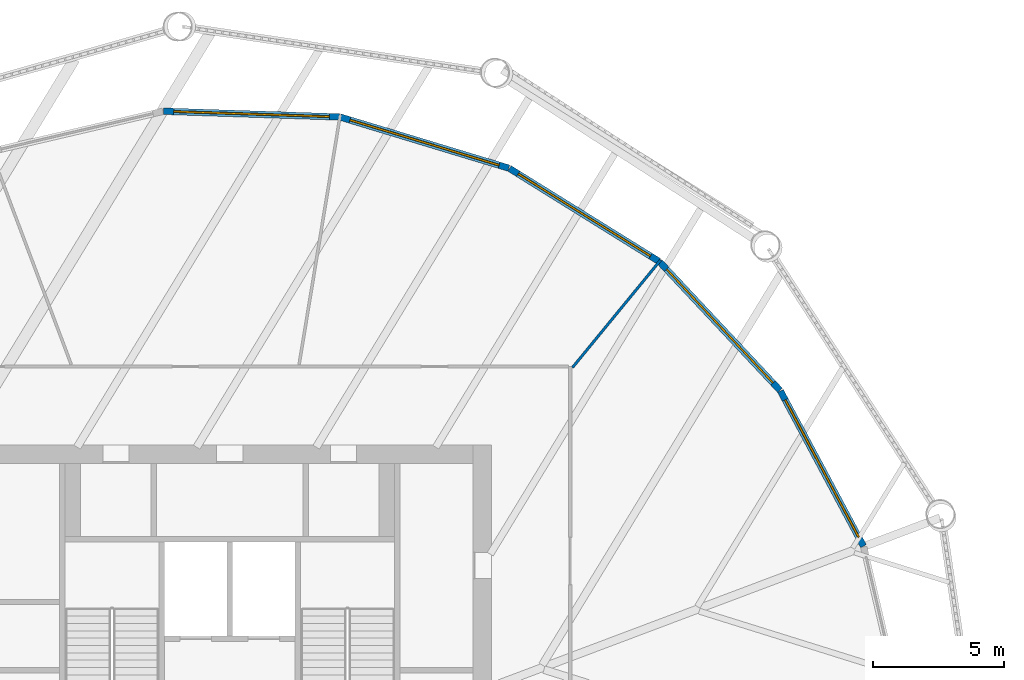
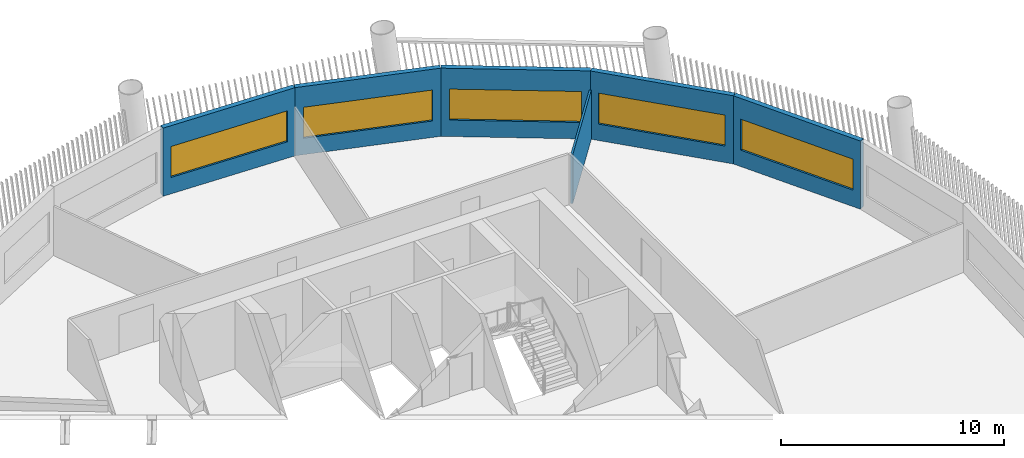
# One storey, part 7 of 15: 6 walls, 5 windows, 5 openings.
"""IFC4 building model written with IfcOpenShell, lengths in metres."""

from ifc_helpers import new_model, si_unit, direction, frame, frame_2d, origin, place, context, subcontext, project, spatial, rectangle, extrude, material, layer, layer_set, type_object, element, fill, save


model = new_model("IFC4")

# Units and contexts
model_context = context("Model", 3, precision=1e-05, world=origin(), true_north=direction((0.0, 1.0)))
body_context = subcontext(model_context, "Body", "Model", "MODEL_VIEW")
ifc_project = project(units=[si_unit("LENGTHUNIT", "METRE"), si_unit("AREAUNIT", "SQUARE_METRE"), si_unit("VOLUMEUNIT", "CUBIC_METRE"), si_unit("PLANEANGLEUNIT", "RADIAN"), si_unit("MASSUNIT", "GRAM", prefix="KILO")], contexts=[model_context])

# Site, building, storey
site_placement = place(None, origin())
site = spatial("IfcSite", under=ifc_project, at=site_placement, CompositionType="ELEMENT")
building_placement = place(site_placement, origin())
building = spatial("IfcBuilding", under=site, at=building_placement, Name="Tarsis Ring Headquarters", CompositionType="ELEMENT")
storey_placement = place(building_placement, frame((0.0, 0.0, 151.5)))
storey = spatial("IfcBuildingStorey", under=building, at=storey_placement, Name="L34", CompositionType="ELEMENT", Elevation=151.5)

# Wall
ifc_material_1 = material(Name="Gypsum board on steel studs", Category="steel")
ifc_layer_1 = layer(ifc_material_1, 0.10009765625)
ifc_layer_set_1 = layer_set([ifc_layer_1], Name="FL partition 100 unrated")
wall_type_1 = type_object("IfcWallType", Name="FL partition 100 unrated", PredefinedType="PARTITIONING", material=ifc_layer_set_1)
wall_1_placement = place(storey_placement, frame((13.0888671875, 15.957275390625, 0.0), z_axis=(0.0, 0.0, 1.0), x_axis=(0.63417637019, 0.773188419141, 0.0)))
element("IfcWall", 1, at=wall_1_placement, inside=storey, type_object=wall_type_1, Name="Partition PW3", PredefinedType="PARTITIONING", context=body_context, shape_type="SweptSolid", body=[
    extrude(rectangle(XDim=5.30908203125, YDim=0.10009765625, at=frame_2d((2.654541015625, 0.0))), origin(), (0.0, 0.0, 1.0), 2.699951171875),
])

# Wall, opening, window
ifc_material_2 = material(Name="Terracotta clad insulated panel wall", Category="masonry")
ifc_layer_2 = layer(ifc_material_2, 0.25)
ifc_layer_set_2 = layer_set([ifc_layer_2], Name="Facade wall terracotta panel 250")
wall_type_2 = type_object("IfcWallType", Name="Facade wall terracotta panel 250", PredefinedType="STANDARD", material=ifc_layer_set_2)
wall_2_placement = place(storey_placement, frame((24.205322265625, 9.135009765625, 0.0), z_axis=(0.0, 0.0, 1.0), x_axis=(-0.471613498576, 0.881805368526, 0.0)))
wall_2 = element("IfcWall", 2, at=wall_2_placement, inside=storey, type_object=wall_type_2, Name="External wall L34-24", PredefinedType="STANDARD", context=body_context, shape_type="SweptSolid", body=[
    extrude(rectangle(XDim=6.721435546875, YDim=0.25, at=frame_2d((3.36083984375, 0.0))), origin(), (0.0, 0.0, 1.0), 3.739990234375),
])
opening_1_placement = place(wall_2_placement, frame((0.3857421875, 0.0, 0.89990234375)))
opening_1 = element("IfcOpeningElement", 3, at=opening_1_placement, cuts=wall_2, Name="Opening WN07", PredefinedType="OPENING", context=body_context, shape_type="SweptSolid", body=[
    extrude(rectangle(XDim=5.949951171875, YDim=1.699951171875, at=frame_2d((2.97509765625, 0.85009765625))), frame((0.0, 0.135009765625, 0.0), z_axis=(0.0, -1.0, 0.0), x_axis=(1.0, 0.0, 0.0)), (0.0, 0.0, 1.0), 0.27001953125),
])
ifc_material_3 = material(Name="Aluminium framed double glazing", Category="aluminium")
window_type = type_object("IfcWindowType", Name="Facade window 5950 x 1700", PartitioningType="SINGLE_PANEL", PredefinedType="WINDOW", material=ifc_material_3)
window_1_placement = place(opening_1_placement, origin())
window_1 = element("IfcWindow", 4, at=window_1_placement, inside=storey, type_object=window_type, Name="Window L34-24.1", OverallHeight=1.699951171875, OverallWidth=5.949951171875, PartitioningType="SINGLE_PANEL", PredefinedType="WINDOW", context=body_context, shape_type="SweptSolid", body=[
    extrude(rectangle(XDim=5.949951171875, YDim=1.699951171875, at=frame_2d((2.97509765625, 0.85009765625))), frame((0.0, 0.030029296875, 0.0), z_axis=(0.0, -1.0, 0.0), x_axis=(1.0, 0.0, 0.0)), (0.0, 0.0, 1.0), 0.06005859375),
])
fill(opening_1, window_1)

wall_3_placement = place(storey_placement, frame((21.016357421875, 15.08837890625, 0.0), z_axis=(0.0, 0.0, 1.0), x_axis=(-0.683779215508, 0.729688964175, 0.0)))
wall_3 = element("IfcWall", 5, at=wall_3_placement, inside=storey, type_object=wall_type_2, Name="External wall L34-25", PredefinedType="STANDARD", context=body_context, shape_type="SweptSolid", body=[
    extrude(rectangle(XDim=6.7216796875, YDim=0.25, at=frame_2d((3.36083984375, 0.0))), origin(), (0.0, 0.0, 1.0), 3.739990234375),
])
opening_2_placement = place(wall_3_placement, frame((0.3857421875, 0.0, 0.89990234375)))
opening_2 = element("IfcOpeningElement", 6, at=opening_2_placement, cuts=wall_3, Name="Opening WN07", PredefinedType="OPENING", context=body_context, shape_type="SweptSolid", body=[
    extrude(rectangle(XDim=5.949951171875, YDim=1.699951171875, at=frame_2d((2.97509765625, 0.85009765625))), frame((0.0, 0.135009765625, 0.0), z_axis=(0.0, -1.0, 0.0), x_axis=(1.0, 0.0, 0.0)), (0.0, 0.0, 1.0), 0.27001953125),
])
window_2_placement = place(opening_2_placement, origin())
window_2 = element("IfcWindow", 7, at=window_2_placement, inside=storey, type_object=window_type, Name="Window L34-25.1", OverallHeight=1.699951171875, OverallWidth=5.949951171875, PartitioningType="SINGLE_PANEL", PredefinedType="WINDOW", context=body_context, shape_type="SweptSolid", body=[
    extrude(rectangle(XDim=5.949951171875, YDim=1.699951171875, at=frame_2d((2.97509765625, 0.85009765625))), frame((0.0, 0.030029296875, 0.0), z_axis=(0.0, -1.0, 0.0), x_axis=(1.0, 0.0, 0.0)), (0.0, 0.0, 1.0), 0.06005859375),
])
fill(opening_2, window_2)

wall_4_placement = place(storey_placement, frame((16.39501953125, 20.013916015625, 0.0), z_axis=(0.0, 0.0, 1.0), x_axis=(-0.849350460881, 0.527829323363, 0.0)))
wall_4 = element("IfcWall", 8, at=wall_4_placement, inside=storey, type_object=wall_type_2, Name="External wall L34-26", PredefinedType="STANDARD", context=body_context, shape_type="SweptSolid", body=[
    extrude(rectangle(XDim=6.7216796875, YDim=0.25, at=frame_2d((3.36083984375, 0.0))), origin(), (0.0, 0.0, 1.0), 3.739990234375),
])
opening_3_placement = place(wall_4_placement, frame((0.3857421875, 0.0, 0.89990234375)))
opening_3 = element("IfcOpeningElement", 9, at=opening_3_placement, cuts=wall_4, Name="Opening WN07", PredefinedType="OPENING", context=body_context, shape_type="SweptSolid", body=[
    extrude(rectangle(XDim=5.949951171875, YDim=1.699951171875, at=frame_2d((2.97509765625, 0.85009765625))), frame((0.0, 0.135009765625, 0.0), z_axis=(0.0, -1.0, 0.0), x_axis=(1.0, 0.0, 0.0)), (0.0, 0.0, 1.0), 0.27001953125),
])
window_3_placement = place(opening_3_placement, origin())
window_3 = element("IfcWindow", 10, at=window_3_placement, inside=storey, type_object=window_type, Name="Window L34-26.1", OverallHeight=1.699951171875, OverallWidth=5.949951171875, PartitioningType="SINGLE_PANEL", PredefinedType="WINDOW", context=body_context, shape_type="SweptSolid", body=[
    extrude(rectangle(XDim=5.949951171875, YDim=1.699951171875, at=frame_2d((2.97509765625, 0.85009765625))), frame((0.0, 0.030029296875, 0.0), z_axis=(0.0, -1.0, 0.0), x_axis=(1.0, 0.0, 0.0)), (0.0, 0.0, 1.0), 0.06005859375),
])
fill(opening_3, window_3)

wall_5_placement = place(storey_placement, frame((10.656494140625, 23.5751953125, 0.0), z_axis=(0.0, 0.0, 1.0), x_axis=(-0.957016766974, 0.290032597703, 0.0)))
wall_5 = element("IfcWall", 11, at=wall_5_placement, inside=storey, type_object=wall_type_2, Name="External wall L34-27", PredefinedType="STANDARD", context=body_context, shape_type="SweptSolid", body=[
    extrude(rectangle(XDim=6.721435546875, YDim=0.25, at=frame_2d((3.36083984375, 0.0))), origin(), (0.0, 0.0, 1.0), 3.739990234375),
])
opening_4_placement = place(wall_5_placement, frame((0.3857421875, 0.0, 0.89990234375)))
opening_4 = element("IfcOpeningElement", 12, at=opening_4_placement, cuts=wall_5, Name="Opening WN07", PredefinedType="OPENING", context=body_context, shape_type="SweptSolid", body=[
    extrude(rectangle(XDim=5.949951171875, YDim=1.699951171875, at=frame_2d((2.97509765625, 0.85009765625))), frame((0.0, 0.135009765625, 0.0), z_axis=(0.0, -1.0, 0.0), x_axis=(1.0, 0.0, 0.0)), (0.0, 0.0, 1.0), 0.27001953125),
])
window_4_placement = place(opening_4_placement, origin())
window_4 = element("IfcWindow", 13, at=window_4_placement, inside=storey, type_object=window_type, Name="Window L34-27.1", OverallHeight=1.699951171875, OverallWidth=5.949951171875, PartitioningType="SINGLE_PANEL", PredefinedType="WINDOW", context=body_context, shape_type="SweptSolid", body=[
    extrude(rectangle(XDim=5.949951171875, YDim=1.699951171875, at=frame_2d((2.97509765625, 0.85009765625))), frame((0.0, 0.030029296875, 0.0), z_axis=(0.0, -1.0, 0.0), x_axis=(1.0, 0.0, 0.0)), (0.0, 0.0, 1.0), 0.06005859375),
])
fill(opening_4, window_4)

wall_6_placement = place(storey_placement, frame((4.191650390625, 25.530029296875, 0.0), z_axis=(0.0, 0.0, 1.0), x_axis=(-0.999473827824, 0.032435589935, 0.0)))
wall_6 = element("IfcWall", 14, at=wall_6_placement, inside=storey, type_object=wall_type_2, Name="External wall L34-28", PredefinedType="STANDARD", context=body_context, shape_type="SweptSolid", body=[
    extrude(rectangle(XDim=6.721435546875, YDim=0.25, at=frame_2d((3.36083984375, 0.0))), origin(), (0.0, 0.0, 1.0), 3.739990234375),
])
opening_5_placement = place(wall_6_placement, frame((0.3857421875, 0.0, 0.89990234375)))
opening_5 = element("IfcOpeningElement", 15, at=opening_5_placement, cuts=wall_6, Name="Opening WN07", PredefinedType="OPENING", context=body_context, shape_type="SweptSolid", body=[
    extrude(rectangle(XDim=5.949951171875, YDim=1.699951171875, at=frame_2d((2.97509765625, 0.85009765625))), frame((0.0, 0.135009765625, 0.0), z_axis=(0.0, -1.0, 0.0), x_axis=(1.0, 0.0, 0.0)), (0.0, 0.0, 1.0), 0.27001953125),
])
window_5_placement = place(opening_5_placement, origin())
window_5 = element("IfcWindow", 16, at=window_5_placement, inside=storey, type_object=window_type, Name="Window L34-28.1", OverallHeight=1.699951171875, OverallWidth=5.949951171875, PartitioningType="SINGLE_PANEL", PredefinedType="WINDOW", context=body_context, shape_type="SweptSolid", body=[
    extrude(rectangle(XDim=5.949951171875, YDim=1.699951171875, at=frame_2d((2.97509765625, 0.85009765625))), frame((0.0, 0.030029296875, 0.0), z_axis=(0.0, -1.0, 0.0), x_axis=(1.0, 0.0, 0.0)), (0.0, 0.0, 1.0), 0.06005859375),
])
fill(opening_5, window_5)

save(model, "model.ifc")
